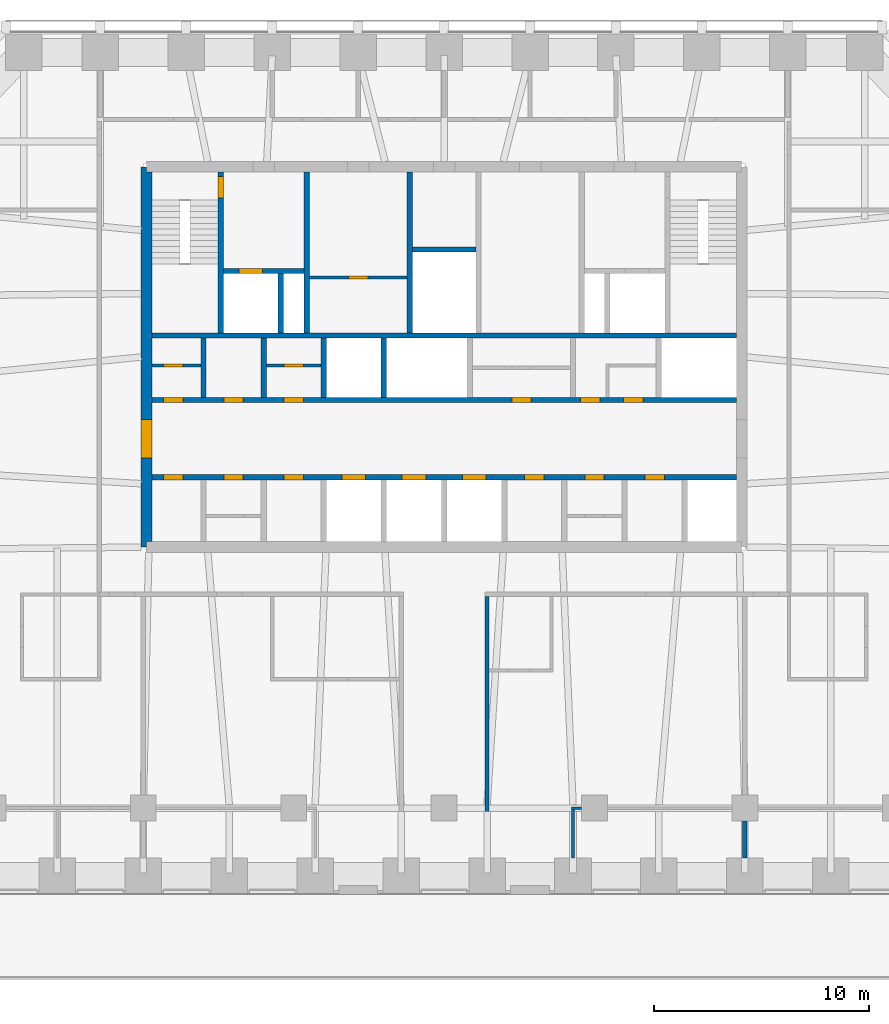
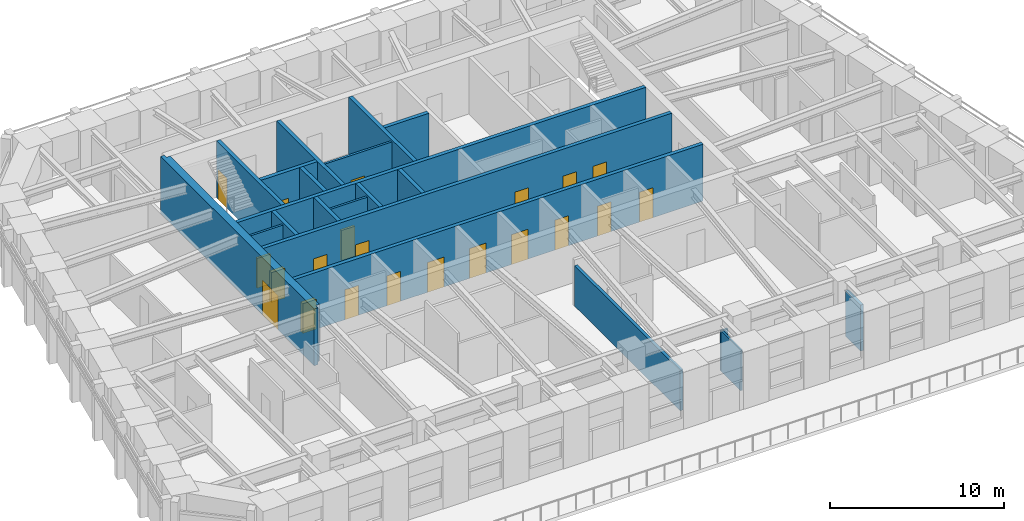
# One storey, part 6 of 11: 21 doors, 21 walls, 21 openings.
"""IFC4 building model written with IfcOpenShell, lengths in metres."""

from ifc_helpers import new_model, si_unit, direction, frame, frame_2d, origin, place, context, subcontext, project, spatial, polyline, rectangle, outline, extrude, material, layer, layer_set, type_object, element, fill, save


model = new_model("IFC4")

# Units and contexts
model_context = context("Model", 3, precision=1e-05, world=origin(), true_north=direction((0.0, 1.0)))
body_context = subcontext(model_context, "Body", "Model", "MODEL_VIEW")
ifc_project = project(units=[si_unit("LENGTHUNIT", "METRE"), si_unit("AREAUNIT", "SQUARE_METRE"), si_unit("VOLUMEUNIT", "CUBIC_METRE"), si_unit("PLANEANGLEUNIT", "RADIAN"), si_unit("MASSUNIT", "GRAM", prefix="KILO")], contexts=[model_context])

# Site, building, storey
site_placement = place(None, origin())
site = spatial("IfcSite", under=ifc_project, at=site_placement, CompositionType="ELEMENT")
building_placement = place(site_placement, origin())
building = spatial("IfcBuilding", under=site, at=building_placement, Name="Isbrekke Arena Tower", CompositionType="ELEMENT")
storey_placement = place(building_placement, frame((0.0, 0.0, 272.0)))
storey = spatial("IfcBuildingStorey", under=building, at=storey_placement, Name="L63", CompositionType="ELEMENT", Elevation=272.0)

# Wall, opening, door
ifc_material_1 = material(Name="Concrete B55 (C55/67)", Category="concrete")
ifc_layer_1 = layer(ifc_material_1, 0.5)
ifc_layer_set_1 = layer_set([ifc_layer_1], Name="CW5 CORE WALL 500")
wall_type_1 = type_object("IfcWallType", Name="CW5 CORE WALL 500", PredefinedType="SHEAR", material=ifc_layer_set_1)
wall_1_placement = place(storey_placement, frame((-13.85009765625, 23.85009765625, 0.0), z_axis=(0.0, 0.0, 1.0), x_axis=(0.0, -1.0, 0.0)))
wall_1 = element("IfcWall", 1, at=wall_1_placement, inside=storey, type_object=wall_type_1, Name="Core wall W L63", PredefinedType="SHEAR", context=body_context, shape_type="SweptSolid", body=[
    extrude(outline(polyline([(0.0, -0.25), (17.7001953125, -0.25), (17.7001953125, 0.0), (17.4501953125, 0.0), (17.4501953125, 0.25), (0.25, 0.25), (0.25, 0.0), (0.0, 0.0), (0.0, -0.25)])), origin(), (0.0, 0.0, 1.0), 4.0),
])
opening_1_placement = place(wall_1_placement, frame((11.75, 0.0, 0.0)))
opening_1 = element("IfcOpeningElement", 2, at=opening_1_placement, cuts=wall_1, Name="Opening D1", PredefinedType="OPENING", context=body_context, shape_type="SweptSolid", body=[
    extrude(rectangle(XDim=1.800048828125, YDim=2.39990234375, at=frame_2d((0.89990234375, 1.199951171875))), frame((0.0, 0.264892578125, 0.0), z_axis=(0.0, -1.0, 0.0), x_axis=(1.0, 0.0, 0.0)), (0.0, 0.0, 1.0), 0.52978515625),
])
ifc_material_2 = material(Name="Steel-framed glazed fire door", Category="steel")
door_type_1 = type_object("IfcDoorType", Name="D1 CORE LOBBY DOOR 1800 x 2400", OperationType="DOUBLE_DOOR_SINGLE_SWING", PredefinedType="DOOR", material=ifc_material_2)
door_1_placement = place(opening_1_placement, origin())
door_1 = element("IfcDoor", 3, at=door_1_placement, inside=storey, type_object=door_type_1, Name="D1 lift lobby door west L63", OperationType="DOUBLE_DOOR_SINGLE_SWING", OverallHeight=2.39990234375, OverallWidth=1.800048828125, PredefinedType="DOOR", context=body_context, shape_type="SweptSolid", body=[
    extrude(rectangle(XDim=1.800048828125, YDim=2.39990234375, at=frame_2d((0.89990234375, 1.199951171875))), frame((0.0, 0.249755859375, 0.0), z_axis=(0.0, -1.0, 0.0), x_axis=(1.0, 0.0, 0.0)), (0.0, 0.0, 1.0), 0.49951171875),
])
fill(opening_1, door_1)

# Wall, openings, doors
ifc_material_3 = material(Name="Concrete B45 (C45/55)", Category="concrete")
ifc_layer_2 = layer(ifc_material_3, 0.25)
ifc_layer_set_2 = layer_set([ifc_layer_2], Name="CW6 SHAFT WALL 250")
wall_type_2 = type_object("IfcWallType", Name="CW6 SHAFT WALL 250", PredefinedType="SHEAR", material=ifc_layer_set_2)
wall_2_placement = place(storey_placement, frame((-13.60009765625, 9.39990234375, 0.0), z_axis=(0.0, 0.0, 1.0), x_axis=(1.0, 0.0, 0.0)))
wall_2 = element("IfcWall", 4, at=wall_2_placement, inside=storey, type_object=wall_type_2, Name="Core wall LS L63", PredefinedType="SHEAR", context=body_context, shape_type="SweptSolid", body=[
    extrude(rectangle(XDim=27.2001953125, YDim=0.25, at=frame_2d((13.60009765625, 0.0))), origin(), (0.0, 0.0, 1.0), 4.0),
])
opening_2_placement = place(wall_2_placement, frame((8.85009765625, 0.0, 0.0)))
opening_2 = element("IfcOpeningElement", 5, at=opening_2_placement, cuts=wall_2, Name="Opening LD1", PredefinedType="OPENING", context=body_context, shape_type="SweptSolid", body=[
    extrude(rectangle(XDim=1.10009765625, YDim=2.10009765625, at=frame_2d((0.550048828125, 1.050048828125))), frame((0.0, 0.139892578125, 0.0), z_axis=(0.0, -1.0, 0.0), x_axis=(1.0, 0.0, 0.0)), (0.0, 0.0, 1.0), 0.27978515625),
])
opening_3_placement = place(wall_2_placement, frame((11.64990234375, 0.0, 0.0)))
opening_3 = element("IfcOpeningElement", 6, at=opening_3_placement, cuts=wall_2, Name="Opening LD1", PredefinedType="OPENING", context=body_context, shape_type="SweptSolid", body=[
    extrude(rectangle(XDim=1.10009765625, YDim=2.10009765625, at=frame_2d((0.550048828125, 1.050048828125))), frame((0.0, 0.139892578125, 0.0), z_axis=(0.0, -1.0, 0.0), x_axis=(1.0, 0.0, 0.0)), (0.0, 0.0, 1.0), 0.27978515625),
])
opening_4_placement = place(wall_2_placement, frame((14.449951171875, 0.0, 0.0)))
opening_4 = element("IfcOpeningElement", 7, at=opening_4_placement, cuts=wall_2, Name="Opening LD1", PredefinedType="OPENING", context=body_context, shape_type="SweptSolid", body=[
    extrude(rectangle(XDim=1.10009765625, YDim=2.10009765625, at=frame_2d((0.550048828125, 1.050048828125))), frame((0.0, 0.139892578125, 0.0), z_axis=(0.0, -1.0, 0.0), x_axis=(1.0, 0.0, 0.0)), (0.0, 0.0, 1.0), 0.27978515625),
])
opening_5_placement = place(wall_2_placement, frame((0.550048828125, 0.0, 0.0)))
opening_5 = element("IfcOpeningElement", 8, at=opening_5_placement, cuts=wall_2, Name="Opening D5", PredefinedType="OPENING", context=body_context, shape_type="SweptSolid", body=[
    extrude(rectangle(XDim=0.89990234375, YDim=2.10009765625, at=frame_2d((0.449951171875, 1.050048828125))), frame((0.0, 0.139892578125, 0.0), z_axis=(0.0, -1.0, 0.0), x_axis=(1.0, 0.0, 0.0)), (0.0, 0.0, 1.0), 0.27978515625),
])
opening_6_placement = place(wall_2_placement, frame((3.35009765625, 0.0, 0.0)))
opening_6 = element("IfcOpeningElement", 9, at=opening_6_placement, cuts=wall_2, Name="Opening D5", PredefinedType="OPENING", context=body_context, shape_type="SweptSolid", body=[
    extrude(rectangle(XDim=0.89990234375, YDim=2.10009765625, at=frame_2d((0.449951171875, 1.050048828125))), frame((0.0, 0.139892578125, 0.0), z_axis=(0.0, -1.0, 0.0), x_axis=(1.0, 0.0, 0.0)), (0.0, 0.0, 1.0), 0.27978515625),
])
opening_7_placement = place(wall_2_placement, frame((6.14990234375, 0.0, 0.0)))
opening_7 = element("IfcOpeningElement", 10, at=opening_7_placement, cuts=wall_2, Name="Opening D5", PredefinedType="OPENING", context=body_context, shape_type="SweptSolid", body=[
    extrude(rectangle(XDim=0.89990234375, YDim=2.10009765625, at=frame_2d((0.449951171875, 1.050048828125))), frame((0.0, 0.139892578125, 0.0), z_axis=(0.0, -1.0, 0.0), x_axis=(1.0, 0.0, 0.0)), (0.0, 0.0, 1.0), 0.27978515625),
])
opening_8_placement = place(wall_2_placement, frame((17.35009765625, 0.0, 0.0)))
opening_8 = element("IfcOpeningElement", 11, at=opening_8_placement, cuts=wall_2, Name="Opening D5", PredefinedType="OPENING", context=body_context, shape_type="SweptSolid", body=[
    extrude(rectangle(XDim=0.89990234375, YDim=2.10009765625, at=frame_2d((0.449951171875, 1.050048828125))), frame((0.0, 0.139892578125, 0.0), z_axis=(0.0, -1.0, 0.0), x_axis=(1.0, 0.0, 0.0)), (0.0, 0.0, 1.0), 0.27978515625),
])
opening_9_placement = place(wall_2_placement, frame((20.14990234375, 0.0, 0.0)))
opening_9 = element("IfcOpeningElement", 12, at=opening_9_placement, cuts=wall_2, Name="Opening D5", PredefinedType="OPENING", context=body_context, shape_type="SweptSolid", body=[
    extrude(rectangle(XDim=0.89990234375, YDim=2.10009765625, at=frame_2d((0.449951171875, 1.050048828125))), frame((0.0, 0.139892578125, 0.0), z_axis=(0.0, -1.0, 0.0), x_axis=(1.0, 0.0, 0.0)), (0.0, 0.0, 1.0), 0.27978515625),
])
opening_10_placement = place(wall_2_placement, frame((22.949951171875, 0.0, 0.0)))
opening_10 = element("IfcOpeningElement", 13, at=opening_10_placement, cuts=wall_2, Name="Opening D5", PredefinedType="OPENING", context=body_context, shape_type="SweptSolid", body=[
    extrude(rectangle(XDim=0.89990234375, YDim=2.10009765625, at=frame_2d((0.449951171875, 1.050048828125))), frame((0.0, 0.139892578125, 0.0), z_axis=(0.0, -1.0, 0.0), x_axis=(1.0, 0.0, 0.0)), (0.0, 0.0, 1.0), 0.27978515625),
])
ifc_material_4 = material(Name="Steel fire door", Category="steel")
door_type_2 = type_object("IfcDoorType", Name="D5 SERVICE DOOR 900 x 2100", OperationType="SINGLE_SWING_LEFT", PredefinedType="DOOR", material=ifc_material_4)
door_2_placement = place(opening_5_placement, origin())
door_2 = element("IfcDoor", 14, at=door_2_placement, inside=storey, type_object=door_type_2, Name="D5 archive door L63", OperationType="SINGLE_SWING_LEFT", OverallHeight=2.10009765625, OverallWidth=0.89990234375, PredefinedType="DOOR", context=body_context, shape_type="SweptSolid", body=[
    extrude(rectangle(XDim=0.89990234375, YDim=2.10009765625, at=frame_2d((0.449951171875, 1.050048828125))), frame((0.0, 0.124755859375, 0.0), z_axis=(0.0, -1.0, 0.0), x_axis=(1.0, 0.0, 0.0)), (0.0, 0.0, 1.0), 0.24951171875),
])
fill(opening_5, door_2)
door_3_placement = place(opening_6_placement, origin())
door_3 = element("IfcDoor", 15, at=door_3_placement, inside=storey, type_object=door_type_2, Name="D5 tea point door L63", OperationType="SINGLE_SWING_LEFT", OverallHeight=2.10009765625, OverallWidth=0.89990234375, PredefinedType="DOOR", context=body_context, shape_type="SweptSolid", body=[
    extrude(rectangle(XDim=0.89990234375, YDim=2.10009765625, at=frame_2d((0.449951171875, 1.050048828125))), frame((0.0, 0.124755859375, 0.0), z_axis=(0.0, -1.0, 0.0), x_axis=(1.0, 0.0, 0.0)), (0.0, 0.0, 1.0), 0.24951171875),
])
fill(opening_6, door_3)
door_4_placement = place(opening_7_placement, origin())
door_4 = element("IfcDoor", 16, at=door_4_placement, inside=storey, type_object=door_type_2, Name="D5 technical room door L63", OperationType="SINGLE_SWING_LEFT", OverallHeight=2.10009765625, OverallWidth=0.89990234375, PredefinedType="DOOR", context=body_context, shape_type="SweptSolid", body=[
    extrude(rectangle(XDim=0.89990234375, YDim=2.10009765625, at=frame_2d((0.449951171875, 1.050048828125))), frame((0.0, 0.124755859375, 0.0), z_axis=(0.0, -1.0, 0.0), x_axis=(1.0, 0.0, 0.0)), (0.0, 0.0, 1.0), 0.24951171875),
])
fill(opening_7, door_4)
door_5_placement = place(opening_8_placement, origin())
door_5 = element("IfcDoor", 17, at=door_5_placement, inside=storey, type_object=door_type_2, Name="D5 tenant store door L63", OperationType="SINGLE_SWING_LEFT", OverallHeight=2.10009765625, OverallWidth=0.89990234375, PredefinedType="DOOR", context=body_context, shape_type="SweptSolid", body=[
    extrude(rectangle(XDim=0.89990234375, YDim=2.10009765625, at=frame_2d((0.449951171875, 1.050048828125))), frame((0.0, 0.124755859375, 0.0), z_axis=(0.0, -1.0, 0.0), x_axis=(1.0, 0.0, 0.0)), (0.0, 0.0, 1.0), 0.24951171875),
])
fill(opening_8, door_5)
door_6_placement = place(opening_9_placement, origin())
door_6 = element("IfcDoor", 18, at=door_6_placement, inside=storey, type_object=door_type_2, Name="D5 first-aid room door L63", OperationType="SINGLE_SWING_LEFT", OverallHeight=2.10009765625, OverallWidth=0.89990234375, PredefinedType="DOOR", context=body_context, shape_type="SweptSolid", body=[
    extrude(rectangle(XDim=0.89990234375, YDim=2.10009765625, at=frame_2d((0.449951171875, 1.050048828125))), frame((0.0, 0.124755859375, 0.0), z_axis=(0.0, -1.0, 0.0), x_axis=(1.0, 0.0, 0.0)), (0.0, 0.0, 1.0), 0.24951171875),
])
fill(opening_9, door_6)
door_7_placement = place(opening_10_placement, origin())
door_7 = element("IfcDoor", 19, at=door_7_placement, inside=storey, type_object=door_type_2, Name="D5 archive door L63", OperationType="SINGLE_SWING_LEFT", OverallHeight=2.10009765625, OverallWidth=0.89990234375, PredefinedType="DOOR", context=body_context, shape_type="SweptSolid", body=[
    extrude(rectangle(XDim=0.89990234375, YDim=2.10009765625, at=frame_2d((0.449951171875, 1.050048828125))), frame((0.0, 0.124755859375, 0.0), z_axis=(0.0, -1.0, 0.0), x_axis=(1.0, 0.0, 0.0)), (0.0, 0.0, 1.0), 0.24951171875),
])
fill(opening_10, door_7)
ifc_material_5 = material(Name="Stainless steel lift landing door", Category="steel")
door_type_3 = type_object("IfcDoorType", Name="LD1 LIFT LANDING DOOR 1100 x 2100", OperationType="SLIDING_TO_LEFT", PredefinedType="DOOR", material=ifc_material_5)
door_8_placement = place(opening_2_placement, origin())
door_8 = element("IfcDoor", 20, at=door_8_placement, inside=storey, type_object=door_type_3, Name="LD1 lift landing door LE L63", OperationType="SLIDING_TO_LEFT", OverallHeight=2.10009765625, OverallWidth=1.10009765625, PredefinedType="DOOR", context=body_context, shape_type="SweptSolid", body=[
    extrude(rectangle(XDim=1.10009765625, YDim=2.10009765625, at=frame_2d((0.550048828125, 1.050048828125))), frame((0.0, 0.124755859375, 0.0), z_axis=(0.0, -1.0, 0.0), x_axis=(1.0, 0.0, 0.0)), (0.0, 0.0, 1.0), 0.24951171875),
])
fill(opening_2, door_8)
door_9_placement = place(opening_3_placement, origin())
door_9 = element("IfcDoor", 21, at=door_9_placement, inside=storey, type_object=door_type_3, Name="LD1 lift landing door LE L63", OperationType="SLIDING_TO_LEFT", OverallHeight=2.10009765625, OverallWidth=1.10009765625, PredefinedType="DOOR", context=body_context, shape_type="SweptSolid", body=[
    extrude(rectangle(XDim=1.10009765625, YDim=2.10009765625, at=frame_2d((0.550048828125, 1.050048828125))), frame((0.0, 0.124755859375, 0.0), z_axis=(0.0, -1.0, 0.0), x_axis=(1.0, 0.0, 0.0)), (0.0, 0.0, 1.0), 0.24951171875),
])
fill(opening_3, door_9)
door_10_placement = place(opening_4_placement, origin())
door_10 = element("IfcDoor", 22, at=door_10_placement, inside=storey, type_object=door_type_3, Name="LD1 lift landing door LE L63", OperationType="SLIDING_TO_LEFT", OverallHeight=2.10009765625, OverallWidth=1.10009765625, PredefinedType="DOOR", context=body_context, shape_type="SweptSolid", body=[
    extrude(rectangle(XDim=1.10009765625, YDim=2.10009765625, at=frame_2d((0.550048828125, 1.050048828125))), frame((0.0, 0.124755859375, 0.0), z_axis=(0.0, -1.0, 0.0), x_axis=(1.0, 0.0, 0.0)), (0.0, 0.0, 1.0), 0.24951171875),
])
fill(opening_4, door_10)

wall_3_placement = place(storey_placement, frame((-13.60009765625, 13.0, 0.0), z_axis=(0.0, 0.0, 1.0), x_axis=(1.0, 0.0, 0.0)))
wall_3 = element("IfcWall", 23, at=wall_3_placement, inside=storey, type_object=wall_type_2, Name="Core wall LN L63", PredefinedType="SHEAR", context=body_context, shape_type="SweptSolid", body=[
    extrude(rectangle(XDim=27.2001953125, YDim=0.25, at=frame_2d((13.60009765625, 0.0))), origin(), (0.0, 0.0, 1.0), 4.0),
])
opening_11_placement = place(wall_3_placement, frame((16.75, 0.0, 0.0)))
opening_11 = element("IfcOpeningElement", 24, at=opening_11_placement, cuts=wall_3, Name="Opening D5", PredefinedType="OPENING", context=body_context, shape_type="SweptSolid", body=[
    extrude(rectangle(XDim=0.89990234375, YDim=2.10009765625, at=frame_2d((0.449951171875, 1.050048828125))), frame((0.0, 0.139892578125, 0.0), z_axis=(0.0, -1.0, 0.0), x_axis=(1.0, 0.0, 0.0)), (0.0, 0.0, 1.0), 0.27978515625),
])
opening_12_placement = place(wall_3_placement, frame((19.949951171875, 0.0, 0.0)))
opening_12 = element("IfcOpeningElement", 25, at=opening_12_placement, cuts=wall_3, Name="Opening D5", PredefinedType="OPENING", context=body_context, shape_type="SweptSolid", body=[
    extrude(rectangle(XDim=0.89990234375, YDim=2.10009765625, at=frame_2d((0.449951171875, 1.050048828125))), frame((0.0, 0.139892578125, 0.0), z_axis=(0.0, -1.0, 0.0), x_axis=(1.0, 0.0, 0.0)), (0.0, 0.0, 1.0), 0.27978515625),
])
opening_13_placement = place(wall_3_placement, frame((21.949951171875, 0.0, 0.0)))
opening_13 = element("IfcOpeningElement", 26, at=opening_13_placement, cuts=wall_3, Name="Opening D5", PredefinedType="OPENING", context=body_context, shape_type="SweptSolid", body=[
    extrude(rectangle(XDim=0.89990234375, YDim=2.10009765625, at=frame_2d((0.449951171875, 1.050048828125))), frame((0.0, 0.139892578125, 0.0), z_axis=(0.0, -1.0, 0.0), x_axis=(1.0, 0.0, 0.0)), (0.0, 0.0, 1.0), 0.27978515625),
])
opening_14_placement = place(wall_3_placement, frame((0.550048828125, 0.0, 0.0)))
opening_14 = element("IfcOpeningElement", 27, at=opening_14_placement, cuts=wall_3, Name="Opening D5", PredefinedType="OPENING", context=body_context, shape_type="SweptSolid", body=[
    extrude(rectangle(XDim=0.89990234375, YDim=2.10009765625, at=frame_2d((0.449951171875, 1.050048828125))), frame((0.0, 0.139892578125, 0.0), z_axis=(0.0, -1.0, 0.0), x_axis=(1.0, 0.0, 0.0)), (0.0, 0.0, 1.0), 0.27978515625),
])
opening_15_placement = place(wall_3_placement, frame((3.35009765625, 0.0, 0.0)))
opening_15 = element("IfcOpeningElement", 28, at=opening_15_placement, cuts=wall_3, Name="Opening D5", PredefinedType="OPENING", context=body_context, shape_type="SweptSolid", body=[
    extrude(rectangle(XDim=0.89990234375, YDim=2.10009765625, at=frame_2d((0.449951171875, 1.050048828125))), frame((0.0, 0.139892578125, 0.0), z_axis=(0.0, -1.0, 0.0), x_axis=(1.0, 0.0, 0.0)), (0.0, 0.0, 1.0), 0.27978515625),
])
opening_16_placement = place(wall_3_placement, frame((6.14990234375, 0.0, 0.0)))
opening_16 = element("IfcOpeningElement", 29, at=opening_16_placement, cuts=wall_3, Name="Opening D5", PredefinedType="OPENING", context=body_context, shape_type="SweptSolid", body=[
    extrude(rectangle(XDim=0.89990234375, YDim=2.10009765625, at=frame_2d((0.449951171875, 1.050048828125))), frame((0.0, 0.139892578125, 0.0), z_axis=(0.0, -1.0, 0.0), x_axis=(1.0, 0.0, 0.0)), (0.0, 0.0, 1.0), 0.27978515625),
])
door_11_placement = place(opening_11_placement, origin())
door_11 = element("IfcDoor", 30, at=door_11_placement, inside=storey, type_object=door_type_2, Name="D5 tea point door L63", OperationType="SINGLE_SWING_LEFT", OverallHeight=2.10009765625, OverallWidth=0.89990234375, PredefinedType="DOOR", context=body_context, shape_type="SweptSolid", body=[
    extrude(rectangle(XDim=0.89990234375, YDim=2.10009765625, at=frame_2d((0.449951171875, 1.050048828125))), frame((0.0, 0.124755859375, 0.0), z_axis=(0.0, -1.0, 0.0), x_axis=(1.0, 0.0, 0.0)), (0.0, 0.0, 1.0), 0.24951171875),
])
fill(opening_11, door_11)
door_12_placement = place(opening_12_placement, origin())
door_12 = element("IfcDoor", 31, at=door_12_placement, inside=storey, type_object=door_type_2, Name="D5 communications room door L63", OperationType="SINGLE_SWING_LEFT", OverallHeight=2.10009765625, OverallWidth=0.89990234375, PredefinedType="DOOR", context=body_context, shape_type="SweptSolid", body=[
    extrude(rectangle(XDim=0.89990234375, YDim=2.10009765625, at=frame_2d((0.449951171875, 1.050048828125))), frame((0.0, 0.124755859375, 0.0), z_axis=(0.0, -1.0, 0.0), x_axis=(1.0, 0.0, 0.0)), (0.0, 0.0, 1.0), 0.24951171875),
])
fill(opening_12, door_12)
door_13_placement = place(opening_13_placement, origin())
door_13 = element("IfcDoor", 32, at=door_13_placement, inside=storey, type_object=door_type_2, Name="D5 cleaner's store door L63", OperationType="SINGLE_SWING_LEFT", OverallHeight=2.10009765625, OverallWidth=0.89990234375, PredefinedType="DOOR", context=body_context, shape_type="SweptSolid", body=[
    extrude(rectangle(XDim=0.89990234375, YDim=2.10009765625, at=frame_2d((0.449951171875, 1.050048828125))), frame((0.0, 0.124755859375, 0.0), z_axis=(0.0, -1.0, 0.0), x_axis=(1.0, 0.0, 0.0)), (0.0, 0.0, 1.0), 0.24951171875),
])
fill(opening_13, door_13)
door_14_placement = place(opening_14_placement, origin())
door_14 = element("IfcDoor", 33, at=door_14_placement, inside=storey, type_object=door_type_2, Name="D5 tea point door L63", OperationType="SINGLE_SWING_LEFT", OverallHeight=2.10009765625, OverallWidth=0.89990234375, PredefinedType="DOOR", context=body_context, shape_type="SweptSolid", body=[
    extrude(rectangle(XDim=0.89990234375, YDim=2.10009765625, at=frame_2d((0.449951171875, 1.050048828125))), frame((0.0, 0.124755859375, 0.0), z_axis=(0.0, -1.0, 0.0), x_axis=(1.0, 0.0, 0.0)), (0.0, 0.0, 1.0), 0.24951171875),
])
fill(opening_14, door_14)
door_15_placement = place(opening_15_placement, origin())
door_15 = element("IfcDoor", 34, at=door_15_placement, inside=storey, type_object=door_type_2, Name="D5 print room door L63", OperationType="SINGLE_SWING_LEFT", OverallHeight=2.10009765625, OverallWidth=0.89990234375, PredefinedType="DOOR", context=body_context, shape_type="SweptSolid", body=[
    extrude(rectangle(XDim=0.89990234375, YDim=2.10009765625, at=frame_2d((0.449951171875, 1.050048828125))), frame((0.0, 0.124755859375, 0.0), z_axis=(0.0, -1.0, 0.0), x_axis=(1.0, 0.0, 0.0)), (0.0, 0.0, 1.0), 0.24951171875),
])
fill(opening_15, door_15)
door_16_placement = place(opening_16_placement, origin())
door_16 = element("IfcDoor", 35, at=door_16_placement, inside=storey, type_object=door_type_2, Name="D5 pantry door L63", OperationType="SINGLE_SWING_LEFT", OverallHeight=2.10009765625, OverallWidth=0.89990234375, PredefinedType="DOOR", context=body_context, shape_type="SweptSolid", body=[
    extrude(rectangle(XDim=0.89990234375, YDim=2.10009765625, at=frame_2d((0.449951171875, 1.050048828125))), frame((0.0, 0.124755859375, 0.0), z_axis=(0.0, -1.0, 0.0), x_axis=(1.0, 0.0, 0.0)), (0.0, 0.0, 1.0), 0.24951171875),
])
fill(opening_16, door_16)

# Walls
wall_4_placement = place(storey_placement, frame((-13.60009765625, 16.0, 0.0), z_axis=(0.0, 0.0, 1.0), x_axis=(1.0, 0.0, 0.0)))
element("IfcWall", 36, at=wall_4_placement, inside=storey, type_object=wall_type_2, Name="Core wall NB L63", PredefinedType="SHEAR", context=body_context, shape_type="SweptSolid", body=[
    extrude(rectangle(XDim=27.2001953125, YDim=0.25, at=frame_2d((13.60009765625, 0.0))), origin(), (0.0, 0.0, 1.0), 4.0),
])
for number, where, z_axis, x_axis, name in (
    (37, (-11.199951171875, 13.125, 0.0), (0.0, 0.0, 1.0), (0.0, 1.0, 0.0), "Core wall SN01 L63"),
    (38, (-8.39990234375, 13.125, 0.0), (0.0, 0.0, 1.0), (0.0, 1.0, 0.0), "Core wall SN02 L63"),
    (39, (-5.60009765625, 13.125, 0.0), (0.0, 0.0, 1.0), (0.0, 1.0, 0.0), "Core wall SN03 L63"),
    (40, (-2.800048828125, 13.125, 0.0), (0.0, 0.0, 1.0), (0.0, 1.0, 0.0), "Core wall SN04 L63"),
):
    element("IfcWall", number, at=place(storey_placement, frame(where, z_axis=z_axis, x_axis=x_axis)), inside=storey, type_object=wall_type_2, Name=name, PredefinedType="SHEAR", context=body_context, shape_type="SweptSolid", body=[
        extrude(rectangle(XDim=2.75, YDim=0.25, at=frame_2d((1.375, 0.0))), origin(), (0.0, 0.0, 1.0), 4.0),
    ])

# Wall, opening, door
wall_5_placement = place(storey_placement, frame((-10.39990234375, 16.125, 0.0), z_axis=(0.0, 0.0, 1.0), x_axis=(0.0, 1.0, 0.0)))
wall_5 = element("IfcWall", 41, at=wall_5_placement, inside=storey, type_object=wall_type_2, Name="Core wall NV01 L63", PredefinedType="SHEAR", context=body_context, shape_type="SweptSolid", body=[
    extrude(rectangle(XDim=7.47509765625, YDim=0.25, at=frame_2d((3.737548828125, 0.0))), origin(), (0.0, 0.0, 1.0), 4.0),
])
opening_17_placement = place(wall_5_placement, frame((6.27490234375, 0.0, 0.0)))
opening_17 = element("IfcOpeningElement", 42, at=opening_17_placement, cuts=wall_5, Name="Opening D2", PredefinedType="OPENING", context=body_context, shape_type="SweptSolid", body=[
    extrude(rectangle(XDim=1.0, YDim=2.10009765625, at=frame_2d((0.5, 1.050048828125))), frame((0.0, 0.139892578125, 0.0), z_axis=(0.0, -1.0, 0.0), x_axis=(1.0, 0.0, 0.0)), (0.0, 0.0, 1.0), 0.27978515625),
])
ifc_material_6 = material(Name="Steel fire door", Category="steel")
door_type_4 = type_object("IfcDoorType", Name="D2 STAIR DOOR 1000 x 2100", OperationType="SINGLE_SWING_LEFT", PredefinedType="DOOR", material=ifc_material_6)
door_17_placement = place(opening_17_placement, origin())
door_17 = element("IfcDoor", 43, at=door_17_placement, inside=storey, type_object=door_type_4, Name="D2 stair door ST1 L63", OperationType="SINGLE_SWING_LEFT", OverallHeight=2.10009765625, OverallWidth=1.0, PredefinedType="DOOR", context=body_context, shape_type="SweptSolid", body=[
    extrude(rectangle(XDim=1.0, YDim=2.10009765625, at=frame_2d((0.5, 1.050048828125))), frame((0.0, 0.124755859375, 0.0), z_axis=(0.0, -1.0, 0.0), x_axis=(1.0, 0.0, 0.0)), (0.0, 0.0, 1.0), 0.24951171875),
])
fill(opening_17, door_17)

# Walls
for number, where, z_axis, x_axis, name in (
    (44, (-6.39990234375, 16.125, 0.0), (0.0, 0.0, 1.0), (0.0, 1.0, 0.0), "Core wall NV02 L63"),
    (45, (-1.60009765625, 16.125, 0.0), (0.0, 0.0, 1.0), (0.0, 1.0, 0.0), "Core wall NV03 L63"),
):
    element("IfcWall", number, at=place(storey_placement, frame(where, z_axis=z_axis, x_axis=x_axis)), inside=storey, type_object=wall_type_2, Name=name, PredefinedType="SHEAR", context=body_context, shape_type="SweptSolid", body=[
        extrude(rectangle(XDim=7.47509765625, YDim=0.25, at=frame_2d((3.737548828125, 0.0))), origin(), (0.0, 0.0, 1.0), 4.0),
    ])

# Wall, opening, door
wall_6_placement = place(storey_placement, frame((-10.27490234375, 19.0, 0.0), z_axis=(0.0, 0.0, 1.0), x_axis=(1.0, 0.0, 0.0)))
wall_6 = element("IfcWall", 46, at=wall_6_placement, inside=storey, type_object=wall_type_2, Name="Core wall NFW L63", PredefinedType="SHEAR", context=body_context, shape_type="SweptSolid", body=[
    extrude(rectangle(XDim=3.75, YDim=0.25, at=frame_2d((1.875, 0.0))), origin(), (0.0, 0.0, 1.0), 4.0),
])
opening_18_placement = place(wall_6_placement, frame((0.72509765625, 0.0, 0.0)))
opening_18 = element("IfcOpeningElement", 47, at=opening_18_placement, cuts=wall_6, Name="Opening LD2", PredefinedType="OPENING", context=body_context, shape_type="SweptSolid", body=[
    extrude(rectangle(XDim=1.10009765625, YDim=2.10009765625, at=frame_2d((0.550048828125, 1.050048828125))), frame((0.0, 0.139892578125, 0.0), z_axis=(0.0, -1.0, 0.0), x_axis=(1.0, 0.0, 0.0)), (0.0, 0.0, 1.0), 0.27978515625),
])
ifc_material_7 = material(Name="Stainless steel lift landing door", Category="steel")
door_type_5 = type_object("IfcDoorType", Name="LD2 FIRE-FIGHTING LIFT LANDING DOOR 1100 x 2100", OperationType="SLIDING_TO_RIGHT", PredefinedType="DOOR", material=ifc_material_7)
door_18_placement = place(opening_18_placement, origin())
door_18 = element("IfcDoor", 48, at=door_18_placement, inside=storey, type_object=door_type_5, Name="LD2 lift landing door LF L63", OperationType="SLIDING_TO_RIGHT", OverallHeight=2.10009765625, OverallWidth=1.10009765625, PredefinedType="DOOR", context=body_context, shape_type="SweptSolid", body=[
    extrude(rectangle(XDim=1.10009765625, YDim=2.10009765625, at=frame_2d((0.550048828125, 1.050048828125))), frame((0.0, 0.124755859375, 0.0), z_axis=(0.0, -1.0, 0.0), x_axis=(1.0, 0.0, 0.0)), (0.0, 0.0, 1.0), 0.24951171875),
])
fill(opening_18, door_18)

# Walls
wall_7_placement = place(storey_placement, frame((-7.60009765625, 16.125, 0.0), z_axis=(0.0, 0.0, 1.0), x_axis=(0.0, 1.0, 0.0)))
element("IfcWall", 49, at=wall_7_placement, inside=storey, type_object=wall_type_2, Name="Core wall NFS1 L63", PredefinedType="SHEAR", context=body_context, shape_type="SweptSolid", body=[
    extrude(rectangle(XDim=2.75, YDim=0.25, at=frame_2d((1.375, 0.0))), origin(), (0.0, 0.0, 1.0), 4.0),
])
wall_8_placement = place(storey_placement, frame((-1.47509765625, 20.0, 0.0), z_axis=(0.0, 0.0, 1.0), x_axis=(1.0, 0.0, 0.0)))
element("IfcWall", 50, at=wall_8_placement, inside=storey, type_object=wall_type_2, Name="Core wall NWC L63", PredefinedType="SHEAR", context=body_context, shape_type="SweptSolid", body=[
    extrude(rectangle(XDim=2.9501953125, YDim=0.25, at=frame_2d((1.47509765625, 0.0))), origin(), (0.0, 0.0, 1.0), 4.0),
])
ifc_material_8 = material(Name="Frameless glazed partition, laminated acoustic glass", Category="glass")
ifc_layer_3 = layer(ifc_material_8, 0.1201171875)
ifc_layer_set_3 = layer_set([ifc_layer_3], Name="IW2 GLAZED PARTITION 120")
wall_type_3 = type_object("IfcWallType", Name="IW2 GLAZED PARTITION 120", PredefinedType="PARTITIONING", material=ifc_layer_set_3)
wall_9_placement = place(storey_placement, frame((5.93994140625, -6.0, 0.0), z_axis=(0.0, 0.0, 1.0), x_axis=(1.0, 0.0, 0.0)))
element("IfcWall", 51, at=wall_9_placement, inside=storey, type_object=wall_type_3, Name="IW2 glazed partition 120 L63", PredefinedType="PARTITIONING", context=body_context, shape_type="SweptSolid", body=[
    extrude(rectangle(XDim=0.4599609375, YDim=0.1201171875, at=frame_2d((0.22998046875, 0.0))), origin(), (0.0, 0.0, 1.0), 2.842041015625),
])
wall_10_placement = place(storey_placement, frame((6.0, -8.324951171875, 0.0), z_axis=(0.0, 0.0, 1.0), x_axis=(0.0, 1.0, 0.0)))
element("IfcWall", 52, at=wall_10_placement, inside=storey, type_object=wall_type_3, Name="IW2 glazed partition 120 L63", PredefinedType="PARTITIONING", context=body_context, shape_type="SweptSolid", body=[
    extrude(rectangle(XDim=2.264892578125, YDim=0.1201171875, at=frame_2d((1.13232421875, 0.0))), origin(), (0.0, 0.0, 1.0), 2.842041015625),
])
ifc_material_9 = material(Name="Gypsum board fire-cell wall on steel studs, two layers each side", Category="steel")
ifc_layer_4 = layer(ifc_material_9, 0.199951171875)
ifc_layer_set_4 = layer_set([ifc_layer_4], Name="IW3 FIRE-CELL WALL 200")
wall_type_4 = type_object("IfcWallType", Name="IW3 FIRE-CELL WALL 200", PredefinedType="PARTITIONING", material=ifc_layer_set_4)
wall_11_placement = place(storey_placement, frame((2.0, -8.324951171875, 0.0), z_axis=(0.0, 0.0, 1.0), x_axis=(0.0, 1.0, 0.0)))
element("IfcWall", 53, at=wall_11_placement, inside=storey, type_object=wall_type_4, Name="IW3 fire-cell wall 200 L63", PredefinedType="PARTITIONING", context=body_context, shape_type="SweptSolid", body=[
    extrude(rectangle(XDim=12.175048828125, YDim=0.199951171875, at=frame_2d((6.08740234375, 0.0))), origin(), (0.0, 0.0, 1.0), 2.842041015625),
])
wall_12_placement = place(storey_placement, frame((14.0, -8.324951171875, 0.0), z_axis=(0.0, 0.0, 1.0), x_axis=(0.0, 1.0, 0.0)))
element("IfcWall", 54, at=wall_12_placement, inside=storey, type_object=wall_type_4, Name="IW3 fire-cell wall 200 L63", PredefinedType="PARTITIONING", context=body_context, shape_type="SweptSolid", body=[
    extrude(rectangle(XDim=1.724853515625, YDim=0.199951171875, at=frame_2d((0.8623046875, 0.0))), origin(), (0.0, 0.0, 1.0), 3.22998046875),
])

# Wall, opening, door
ifc_material_10 = material(Name="Gypsum board fire-rated partition on steel studs, two layers each side", Category="steel")
ifc_layer_5 = layer(ifc_material_10, 0.14990234375)
ifc_layer_set_5 = layer_set([ifc_layer_5], Name="IW5 FIRE-RATED PARTITION 150")
wall_type_5 = type_object("IfcWallType", Name="IW5 FIRE-RATED PARTITION 150", PredefinedType="PARTITIONING", material=ifc_layer_set_5)
wall_13_placement = place(storey_placement, frame((-6.27490234375, 18.699951171875, 0.0), z_axis=(0.0, 0.0, 1.0), x_axis=(1.0, 0.0, 0.0)))
wall_13 = element("IfcWall", 55, at=wall_13_placement, inside=storey, type_object=wall_type_5, Name="IW5 fire-rated partition L63 cleaner's store F", PredefinedType="PARTITIONING", context=body_context, shape_type="SweptSolid", body=[
    extrude(rectangle(XDim=4.5498046875, YDim=0.14990234375, at=frame_2d((2.27490234375, 0.0))), origin(), (0.0, 0.0, 1.0), 3.85009765625),
])
opening_19_placement = place(wall_13_placement, frame((1.824951171875, 0.0, 0.0)))
opening_19 = element("IfcOpeningElement", 56, at=opening_19_placement, cuts=wall_13, Name="Opening D5", PredefinedType="OPENING", context=body_context, shape_type="SweptSolid", body=[
    extrude(rectangle(XDim=0.89990234375, YDim=2.10009765625, at=frame_2d((0.449951171875, 1.050048828125))), frame((0.0, 0.08984375, 0.0), z_axis=(0.0, -1.0, 0.0), x_axis=(1.0, 0.0, 0.0)), (0.0, 0.0, 1.0), 0.1796875),
])
door_19_placement = place(opening_19_placement, origin())
door_19 = element("IfcDoor", 57, at=door_19_placement, inside=storey, type_object=door_type_2, Name="D5 cleaner's store door L63", OperationType="SINGLE_SWING_LEFT", OverallHeight=2.10009765625, OverallWidth=0.89990234375, PredefinedType="DOOR", context=body_context, shape_type="SweptSolid", body=[
    extrude(rectangle(XDim=0.89990234375, YDim=2.10009765625, at=frame_2d((0.449951171875, 1.050048828125))), frame((0.0, 0.07470703125, 0.0), z_axis=(0.0, -1.0, 0.0), x_axis=(1.0, 0.0, 0.0)), (0.0, 0.0, 1.0), 0.1494140625),
])
fill(opening_19, door_19)

wall_14_placement = place(storey_placement, frame((-13.60009765625, 14.60009765625, 0.0), z_axis=(0.0, 0.0, 1.0), x_axis=(1.0, 0.0, 0.0)))
wall_14 = element("IfcWall", 58, at=wall_14_placement, inside=storey, type_object=wall_type_5, Name="IW5 fire-rated partition L63 core service rooms 4", PredefinedType="PARTITIONING", context=body_context, shape_type="SweptSolid", body=[
    extrude(rectangle(XDim=2.275146484375, YDim=0.14990234375, at=frame_2d((1.1376953125, 0.0))), origin(), (0.0, 0.0, 1.0), 3.85009765625),
])
opening_20_placement = place(wall_14_placement, frame((0.550048828125, 0.0, 0.0)))
opening_20 = element("IfcOpeningElement", 59, at=opening_20_placement, cuts=wall_14, Name="Opening D5", PredefinedType="OPENING", context=body_context, shape_type="SweptSolid", body=[
    extrude(rectangle(XDim=0.89990234375, YDim=2.10009765625, at=frame_2d((0.449951171875, 1.050048828125))), frame((0.0, 0.08984375, 0.0), z_axis=(0.0, -1.0, 0.0), x_axis=(1.0, 0.0, 0.0)), (0.0, 0.0, 1.0), 0.1796875),
])
door_20_placement = place(opening_20_placement, origin())
door_20 = element("IfcDoor", 60, at=door_20_placement, inside=storey, type_object=door_type_2, Name="D5 archive door L63", OperationType="SINGLE_SWING_LEFT", OverallHeight=2.10009765625, OverallWidth=0.89990234375, PredefinedType="DOOR", context=body_context, shape_type="SweptSolid", body=[
    extrude(rectangle(XDim=0.89990234375, YDim=2.10009765625, at=frame_2d((0.449951171875, 1.050048828125))), frame((0.0, 0.07470703125, 0.0), z_axis=(0.0, -1.0, 0.0), x_axis=(1.0, 0.0, 0.0)), (0.0, 0.0, 1.0), 0.1494140625),
])
fill(opening_20, door_20)

wall_15_placement = place(storey_placement, frame((-8.27490234375, 14.60009765625, 0.0), z_axis=(0.0, 0.0, 1.0), x_axis=(1.0, 0.0, 0.0)))
wall_15 = element("IfcWall", 61, at=wall_15_placement, inside=storey, type_object=wall_type_5, Name="IW5 fire-rated partition L63 core service rooms 5", PredefinedType="PARTITIONING", context=body_context, shape_type="SweptSolid", body=[
    extrude(rectangle(XDim=2.5498046875, YDim=0.14990234375, at=frame_2d((1.27490234375, 0.0))), origin(), (0.0, 0.0, 1.0), 3.85009765625),
])
opening_21_placement = place(wall_15_placement, frame((0.824951171875, 0.0, 0.0)))
opening_21 = element("IfcOpeningElement", 62, at=opening_21_placement, cuts=wall_15, Name="Opening D5", PredefinedType="OPENING", context=body_context, shape_type="SweptSolid", body=[
    extrude(rectangle(XDim=0.89990234375, YDim=2.10009765625, at=frame_2d((0.449951171875, 1.050048828125))), frame((0.0, 0.08984375, 0.0), z_axis=(0.0, -1.0, 0.0), x_axis=(1.0, 0.0, 0.0)), (0.0, 0.0, 1.0), 0.1796875),
])
door_21_placement = place(opening_21_placement, origin())
door_21 = element("IfcDoor", 63, at=door_21_placement, inside=storey, type_object=door_type_2, Name="D5 tenant store door L63", OperationType="SINGLE_SWING_LEFT", OverallHeight=2.10009765625, OverallWidth=0.89990234375, PredefinedType="DOOR", context=body_context, shape_type="SweptSolid", body=[
    extrude(rectangle(XDim=0.89990234375, YDim=2.10009765625, at=frame_2d((0.449951171875, 1.050048828125))), frame((0.0, 0.07470703125, 0.0), z_axis=(0.0, -1.0, 0.0), x_axis=(1.0, 0.0, 0.0)), (0.0, 0.0, 1.0), 0.1494140625),
])
fill(opening_21, door_21)

save(model, "model.ifc")
